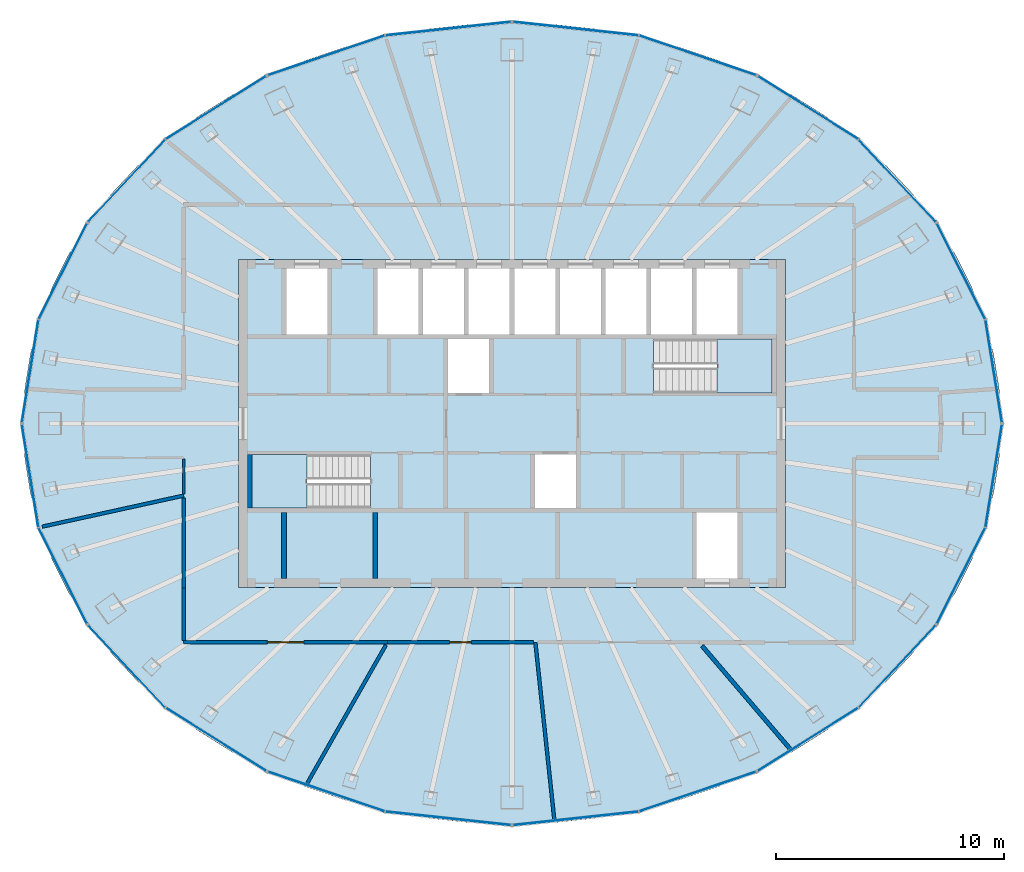
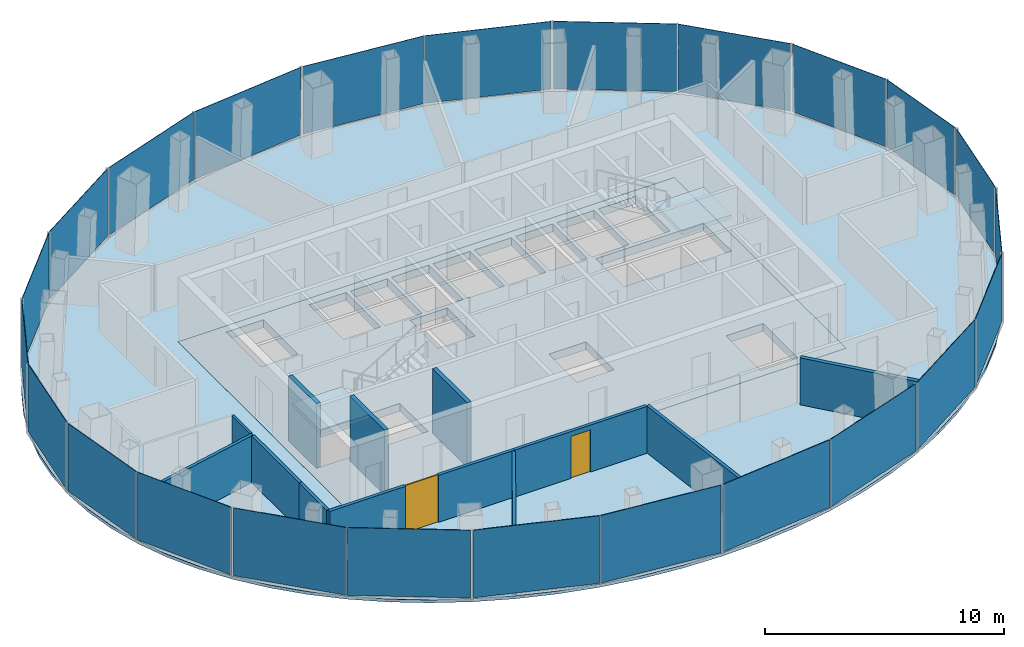
# One storey, part 8 of 12: 24 plates, 12 walls, 4 slabs, 2 doors, 2 openings, 14 elements without a shape of their own.
"""IFC4 building model written with IfcOpenShell, lengths in metres."""

from ifc_helpers import new_model, si_unit, direction, frame, frame_2d, origin, origin_2d, place, context, subcontext, project, spatial, polyline, rectangle, outline, extrude, material, layer, layer_set, type_object, element, fill, aggregate, save


model = new_model("IFC4")

# Units and contexts
model_context = context("Model", 3, precision=1e-05, world=origin(), true_north=direction((0.0, 1.0)))
body_context = subcontext(model_context, "Body", "Model", "MODEL_VIEW")
ifc_project = project(units=[si_unit("LENGTHUNIT", "METRE"), si_unit("AREAUNIT", "SQUARE_METRE"), si_unit("VOLUMEUNIT", "CUBIC_METRE"), si_unit("PLANEANGLEUNIT", "RADIAN"), si_unit("MASSUNIT", "GRAM", prefix="KILO")], contexts=[model_context])

# Site, building, storey
site_placement = place(None, origin())
site = spatial("IfcSite", under=ifc_project, at=site_placement, CompositionType="ELEMENT")
building_placement = place(site_placement, origin())
building = spatial("IfcBuilding", under=site, at=building_placement, Name="Siaravel Broadcast Tower", CompositionType="ELEMENT")
storey_placement = place(building_placement, frame((0.0, 0.0, 235.60009765625)))
storey = spatial("IfcBuildingStorey", under=building, at=storey_placement, Name="L57", CompositionType="ELEMENT", Elevation=235.60009765625)

# Curtain wall, plates
ifc_material_1 = material(Name="Aluminium 6063-T6", Category="aluminium")
ifc_layer_1 = layer(ifc_material_1, 0.159912109375)
ifc_layer_set_1 = layer_set([ifc_layer_1], Name="Aluminium 6063-T6")
curtain_wall_type = type_object("IfcCurtainWallType", Name="Unitised curtain wall, zone 4", PredefinedType="NOTDEFINED", material=ifc_layer_set_1)
curtain_wall_1_placement = place(storey_placement, origin())
curtain_wall_1 = element("IfcCurtainWall", 1, at=curtain_wall_1_placement, inside=storey, type_object=curtain_wall_type, Name="L57 Unitised curtain wall, zone 4 01", PredefinedType="NOTDEFINED")
ifc_material_2 = material(Name="Tinted insulated glass", Category="glass")
ifc_layer_2 = layer(ifc_material_2, 0.02587890625)
ifc_layer_set_2 = layer_set([ifc_layer_2], Name="Tinted insulated glass")
plate_type = type_object("IfcPlateType", Name="CW-Z4 glass panel", PredefinedType="CURTAIN_PANEL", material=ifc_layer_set_2)
plate_1_placement = place(storey_placement, frame((21.133056640625, 2.29541015625, 0.08984375), z_axis=(0.0, 0.0, 1.0), x_axis=(-0.158684841, 0.987329287, 0.0)))
plate_1 = element("IfcPlate", 2, at=plate_1_placement, type_object=plate_type, Name="CW-Z4 glass panel", PredefinedType="CURTAIN_PANEL", context=body_context, shape_type="SweptSolid", body=[
    extrude(rectangle(XDim=4.53955078125, YDim=0.02587890625, at=origin_2d()), origin(), (0.0, 0.0, 1.0), 3.4599609375),
])
plate_2_placement = place(storey_placement, frame((19.699951171875, 6.6767578125, 0.08984375), z_axis=(0.0, 0.0, 1.0), x_axis=(-0.451259489, 0.89239278, 0.0)))
plate_2 = element("IfcPlate", 3, at=plate_2_placement, type_object=plate_type, Name="CW-Z4 glass panel", PredefinedType="CURTAIN_PANEL", context=body_context, shape_type="SweptSolid", body=[
    extrude(rectangle(XDim=4.681396484375, YDim=0.02587890625, at=origin_2d()), origin(), (0.0, 0.0, 1.0), 3.4599609375),
])
aggregate(curtain_wall_1, [plate_1, plate_2])

curtain_wall_2_placement = place(storey_placement, origin())
curtain_wall_2 = element("IfcCurtainWall", 4, at=curtain_wall_2_placement, inside=storey, type_object=curtain_wall_type, Name="L57 Unitised curtain wall, zone 4 02", PredefinedType="NOTDEFINED")
plate_3_placement = place(storey_placement, frame((16.900390625, 10.649169921875, 0.08984375), z_axis=(0.0, 0.0, 1.0), x_axis=(-0.683653927, 0.72980635, 0.0)))
plate_3 = element("IfcPlate", 5, at=plate_3_placement, type_object=plate_type, Name="CW-Z4 glass panel", PredefinedType="CURTAIN_PANEL", context=body_context, shape_type="SweptSolid", body=[
    extrude(rectangle(XDim=4.91748046875, YDim=0.02587890625, at=origin_2d()), origin(), (0.0, 0.0, 1.0), 3.4599609375),
])
plate_4_placement = place(storey_placement, frame((12.985595703125, 13.855712890625, 0.08984375), z_axis=(0.0, 0.0, 1.0), x_axis=(-0.846649907, 0.532150293, 0.0)))
plate_4 = element("IfcPlate", 6, at=plate_4_placement, type_object=plate_type, Name="CW-Z4 glass panel", PredefinedType="CURTAIN_PANEL", context=body_context, shape_type="SweptSolid", body=[
    extrude(rectangle(XDim=5.17724609375, YDim=0.02587890625, at=origin_2d()), origin(), (0.0, 0.0, 1.0), 3.4599609375),
])
aggregate(curtain_wall_2, [plate_3, plate_4])

curtain_wall_3_placement = place(storey_placement, origin())
curtain_wall_3 = element("IfcCurtainWall", 7, at=curtain_wall_3_placement, inside=storey, type_object=curtain_wall_type, Name="L57 Unitised curtain wall, zone 4 03", PredefinedType="NOTDEFINED")
plate_5_placement = place(storey_placement, frame((8.14208984375, 16.146484375, 0.08984375), z_axis=(0.0, 0.0, 1.0), x_axis=(-0.946977002, 0.321301352, 0.0)))
plate_5 = element("IfcPlate", 8, at=plate_5_placement, type_object=plate_type, Name="CW-Z4 glass panel", PredefinedType="CURTAIN_PANEL", context=body_context, shape_type="SweptSolid", body=[
    extrude(rectangle(XDim=5.392333984375, YDim=0.02587890625, at=origin_2d()), origin(), (0.0, 0.0, 1.0), 3.4599609375),
])
plate_6_placement = place(storey_placement, frame((2.795166015625, 17.3203125, 0.08984375), z_axis=(0.0, 0.0, 1.0), x_axis=(-0.994235563, 0.107217743, 0.0)))
plate_6 = element("IfcPlate", 9, at=plate_6_placement, type_object=plate_type, Name="CW-Z4 glass panel", PredefinedType="CURTAIN_PANEL", context=body_context, shape_type="SweptSolid", body=[
    extrude(rectangle(XDim=5.5126953125, YDim=0.02587890625, at=origin_2d()), origin(), (0.0, 0.0, 1.0), 3.4599609375),
])
aggregate(curtain_wall_3, [plate_5, plate_6])

curtain_wall_4_placement = place(storey_placement, origin())
curtain_wall_4 = element("IfcCurtainWall", 10, at=curtain_wall_4_placement, inside=storey, type_object=curtain_wall_type, Name="L57 Unitised curtain wall, zone 4 04", PredefinedType="NOTDEFINED")
plate_7_placement = place(storey_placement, frame((-2.795166015625, 17.3203125, 0.08984375), z_axis=(0.0, 0.0, 1.0), x_axis=(-0.994235563, -0.107217743, 0.0)))
plate_7 = element("IfcPlate", 11, at=plate_7_placement, type_object=plate_type, Name="CW-Z4 glass panel", PredefinedType="CURTAIN_PANEL", context=body_context, shape_type="SweptSolid", body=[
    extrude(rectangle(XDim=5.5126953125, YDim=0.02587890625, at=origin_2d()), origin(), (0.0, 0.0, 1.0), 3.4599609375),
])
plate_8_placement = place(storey_placement, frame((-8.14208984375, 16.146484375, 0.08984375), z_axis=(0.0, 0.0, 1.0), x_axis=(-0.946977002, -0.321301352, 0.0)))
plate_8 = element("IfcPlate", 12, at=plate_8_placement, type_object=plate_type, Name="CW-Z4 glass panel", PredefinedType="CURTAIN_PANEL", context=body_context, shape_type="SweptSolid", body=[
    extrude(rectangle(XDim=5.392333984375, YDim=0.02587890625, at=origin_2d()), origin(), (0.0, 0.0, 1.0), 3.4599609375),
])
aggregate(curtain_wall_4, [plate_7, plate_8])

curtain_wall_5_placement = place(storey_placement, origin())
curtain_wall_5 = element("IfcCurtainWall", 13, at=curtain_wall_5_placement, inside=storey, type_object=curtain_wall_type, Name="L57 Unitised curtain wall, zone 4 05", PredefinedType="NOTDEFINED")
plate_9_placement = place(storey_placement, frame((-12.985595703125, 13.855712890625, 0.08984375), z_axis=(0.0, 0.0, 1.0), x_axis=(-0.846649907, -0.532150293, 0.0)))
plate_9 = element("IfcPlate", 14, at=plate_9_placement, type_object=plate_type, Name="CW-Z4 glass panel", PredefinedType="CURTAIN_PANEL", context=body_context, shape_type="SweptSolid", body=[
    extrude(rectangle(XDim=5.17724609375, YDim=0.02587890625, at=origin_2d()), origin(), (0.0, 0.0, 1.0), 3.4599609375),
])
plate_10_placement = place(storey_placement, frame((-16.900390625, 10.649169921875, 0.08984375), z_axis=(0.0, 0.0, 1.0), x_axis=(-0.683653927, -0.72980635, 0.0)))
plate_10 = element("IfcPlate", 15, at=plate_10_placement, type_object=plate_type, Name="CW-Z4 glass panel", PredefinedType="CURTAIN_PANEL", context=body_context, shape_type="SweptSolid", body=[
    extrude(rectangle(XDim=4.91748046875, YDim=0.02587890625, at=origin_2d()), origin(), (0.0, 0.0, 1.0), 3.4599609375),
])
aggregate(curtain_wall_5, [plate_9, plate_10])

curtain_wall_6_placement = place(storey_placement, origin())
curtain_wall_6 = element("IfcCurtainWall", 16, at=curtain_wall_6_placement, inside=storey, type_object=curtain_wall_type, Name="L57 Unitised curtain wall, zone 4 06", PredefinedType="NOTDEFINED")
plate_11_placement = place(storey_placement, frame((-19.699951171875, 6.6767578125, 0.08984375), z_axis=(0.0, 0.0, 1.0), x_axis=(-0.451259489, -0.89239278, 0.0)))
plate_11 = element("IfcPlate", 17, at=plate_11_placement, type_object=plate_type, Name="CW-Z4 glass panel", PredefinedType="CURTAIN_PANEL", context=body_context, shape_type="SweptSolid", body=[
    extrude(rectangle(XDim=4.681396484375, YDim=0.02587890625, at=origin_2d()), origin(), (0.0, 0.0, 1.0), 3.4599609375),
])
plate_12_placement = place(storey_placement, frame((-21.133056640625, 2.29541015625, 0.08984375), z_axis=(0.0, 0.0, 1.0), x_axis=(-0.158684841, -0.987329287, 0.0)))
plate_12 = element("IfcPlate", 18, at=plate_12_placement, type_object=plate_type, Name="CW-Z4 glass panel", PredefinedType="CURTAIN_PANEL", context=body_context, shape_type="SweptSolid", body=[
    extrude(rectangle(XDim=4.53955078125, YDim=0.02587890625, at=origin_2d()), origin(), (0.0, 0.0, 1.0), 3.4599609375),
])
aggregate(curtain_wall_6, [plate_11, plate_12])

curtain_wall_7_placement = place(storey_placement, origin())
curtain_wall_7 = element("IfcCurtainWall", 19, at=curtain_wall_7_placement, inside=storey, type_object=curtain_wall_type, Name="L57 Unitised curtain wall, zone 4 07", PredefinedType="NOTDEFINED")
plate_13_placement = place(storey_placement, frame((-21.133056640625, -2.29541015625, 0.08984375), z_axis=(0.0, 0.0, 1.0), x_axis=(0.158684841, -0.987329287, 0.0)))
plate_13 = element("IfcPlate", 20, at=plate_13_placement, type_object=plate_type, Name="CW-Z4 glass panel", PredefinedType="CURTAIN_PANEL", context=body_context, shape_type="SweptSolid", body=[
    extrude(rectangle(XDim=4.53955078125, YDim=0.02587890625, at=origin_2d()), origin(), (0.0, 0.0, 1.0), 3.4599609375),
])
plate_14_placement = place(storey_placement, frame((-19.699951171875, -6.6767578125, 0.08984375), z_axis=(0.0, 0.0, 1.0), x_axis=(0.451259489, -0.89239278, 0.0)))
plate_14 = element("IfcPlate", 21, at=plate_14_placement, type_object=plate_type, Name="CW-Z4 glass panel", PredefinedType="CURTAIN_PANEL", context=body_context, shape_type="SweptSolid", body=[
    extrude(rectangle(XDim=4.681396484375, YDim=0.02587890625, at=origin_2d()), origin(), (0.0, 0.0, 1.0), 3.4599609375),
])
aggregate(curtain_wall_7, [plate_13, plate_14])

curtain_wall_8_placement = place(storey_placement, origin())
curtain_wall_8 = element("IfcCurtainWall", 22, at=curtain_wall_8_placement, inside=storey, type_object=curtain_wall_type, Name="L57 Unitised curtain wall, zone 4 08", PredefinedType="NOTDEFINED")
plate_15_placement = place(storey_placement, frame((-16.900390625, -10.649169921875, 0.08984375), z_axis=(0.0, 0.0, 1.0), x_axis=(0.683653927, -0.72980635, 0.0)))
plate_15 = element("IfcPlate", 23, at=plate_15_placement, type_object=plate_type, Name="CW-Z4 glass panel", PredefinedType="CURTAIN_PANEL", context=body_context, shape_type="SweptSolid", body=[
    extrude(rectangle(XDim=4.91748046875, YDim=0.02587890625, at=origin_2d()), origin(), (0.0, 0.0, 1.0), 3.4599609375),
])
plate_16_placement = place(storey_placement, frame((-12.985595703125, -13.855712890625, 0.08984375), z_axis=(0.0, 0.0, 1.0), x_axis=(0.846649907, -0.532150293, 0.0)))
plate_16 = element("IfcPlate", 24, at=plate_16_placement, type_object=plate_type, Name="CW-Z4 glass panel", PredefinedType="CURTAIN_PANEL", context=body_context, shape_type="SweptSolid", body=[
    extrude(rectangle(XDim=5.17724609375, YDim=0.02587890625, at=origin_2d()), origin(), (0.0, 0.0, 1.0), 3.4599609375),
])
aggregate(curtain_wall_8, [plate_15, plate_16])

curtain_wall_9_placement = place(storey_placement, origin())
curtain_wall_9 = element("IfcCurtainWall", 25, at=curtain_wall_9_placement, inside=storey, type_object=curtain_wall_type, Name="L57 Unitised curtain wall, zone 4 09", PredefinedType="NOTDEFINED")
plate_17_placement = place(storey_placement, frame((-8.14208984375, -16.146484375, 0.08984375), z_axis=(0.0, 0.0, 1.0), x_axis=(0.946977002, -0.321301352, 0.0)))
plate_17 = element("IfcPlate", 26, at=plate_17_placement, type_object=plate_type, Name="CW-Z4 glass panel", PredefinedType="CURTAIN_PANEL", context=body_context, shape_type="SweptSolid", body=[
    extrude(rectangle(XDim=5.392333984375, YDim=0.02587890625, at=origin_2d()), origin(), (0.0, 0.0, 1.0), 3.4599609375),
])
plate_18_placement = place(storey_placement, frame((-2.795166015625, -17.3203125, 0.08984375), z_axis=(0.0, 0.0, 1.0), x_axis=(0.994235563, -0.107217743, 0.0)))
plate_18 = element("IfcPlate", 27, at=plate_18_placement, type_object=plate_type, Name="CW-Z4 glass panel", PredefinedType="CURTAIN_PANEL", context=body_context, shape_type="SweptSolid", body=[
    extrude(rectangle(XDim=5.5126953125, YDim=0.02587890625, at=origin_2d()), origin(), (0.0, 0.0, 1.0), 3.4599609375),
])
aggregate(curtain_wall_9, [plate_17, plate_18])

curtain_wall_10_placement = place(storey_placement, origin())
curtain_wall_10 = element("IfcCurtainWall", 28, at=curtain_wall_10_placement, inside=storey, type_object=curtain_wall_type, Name="L57 Unitised curtain wall, zone 4 10", PredefinedType="NOTDEFINED")
plate_19_placement = place(storey_placement, frame((2.795166015625, -17.3203125, 0.08984375), z_axis=(0.0, 0.0, 1.0), x_axis=(0.994235563, 0.107217743, 0.0)))
plate_19 = element("IfcPlate", 29, at=plate_19_placement, type_object=plate_type, Name="CW-Z4 glass panel", PredefinedType="CURTAIN_PANEL", context=body_context, shape_type="SweptSolid", body=[
    extrude(rectangle(XDim=5.5126953125, YDim=0.02587890625, at=origin_2d()), origin(), (0.0, 0.0, 1.0), 3.4599609375),
])
plate_20_placement = place(storey_placement, frame((8.14208984375, -16.146484375, 0.08984375), z_axis=(0.0, 0.0, 1.0), x_axis=(0.946977002, 0.321301352, 0.0)))
plate_20 = element("IfcPlate", 30, at=plate_20_placement, type_object=plate_type, Name="CW-Z4 glass panel", PredefinedType="CURTAIN_PANEL", context=body_context, shape_type="SweptSolid", body=[
    extrude(rectangle(XDim=5.392333984375, YDim=0.02587890625, at=origin_2d()), origin(), (0.0, 0.0, 1.0), 3.4599609375),
])
aggregate(curtain_wall_10, [plate_19, plate_20])

curtain_wall_11_placement = place(storey_placement, origin())
curtain_wall_11 = element("IfcCurtainWall", 31, at=curtain_wall_11_placement, inside=storey, type_object=curtain_wall_type, Name="L57 Unitised curtain wall, zone 4 11", PredefinedType="NOTDEFINED")
plate_21_placement = place(storey_placement, frame((12.985595703125, -13.855712890625, 0.08984375), z_axis=(0.0, 0.0, 1.0), x_axis=(0.846649907, 0.532150293, 0.0)))
plate_21 = element("IfcPlate", 32, at=plate_21_placement, type_object=plate_type, Name="CW-Z4 glass panel", PredefinedType="CURTAIN_PANEL", context=body_context, shape_type="SweptSolid", body=[
    extrude(rectangle(XDim=5.17724609375, YDim=0.02587890625, at=origin_2d()), origin(), (0.0, 0.0, 1.0), 3.4599609375),
])
plate_22_placement = place(storey_placement, frame((16.900390625, -10.649169921875, 0.08984375), z_axis=(0.0, 0.0, 1.0), x_axis=(0.683653927, 0.72980635, 0.0)))
plate_22 = element("IfcPlate", 33, at=plate_22_placement, type_object=plate_type, Name="CW-Z4 glass panel", PredefinedType="CURTAIN_PANEL", context=body_context, shape_type="SweptSolid", body=[
    extrude(rectangle(XDim=4.91748046875, YDim=0.02587890625, at=origin_2d()), origin(), (0.0, 0.0, 1.0), 3.4599609375),
])
aggregate(curtain_wall_11, [plate_21, plate_22])

curtain_wall_12_placement = place(storey_placement, origin())
curtain_wall_12 = element("IfcCurtainWall", 34, at=curtain_wall_12_placement, inside=storey, type_object=curtain_wall_type, Name="L57 Unitised curtain wall, zone 4 12", PredefinedType="NOTDEFINED")
plate_23_placement = place(storey_placement, frame((19.699951171875, -6.6767578125, 0.08984375), z_axis=(0.0, 0.0, 1.0), x_axis=(0.451259489, 0.89239278, 0.0)))
plate_23 = element("IfcPlate", 35, at=plate_23_placement, type_object=plate_type, Name="CW-Z4 glass panel", PredefinedType="CURTAIN_PANEL", context=body_context, shape_type="SweptSolid", body=[
    extrude(rectangle(XDim=4.681396484375, YDim=0.02587890625, at=origin_2d()), origin(), (0.0, 0.0, 1.0), 3.4599609375),
])
plate_24_placement = place(storey_placement, frame((21.133056640625, -2.29541015625, 0.08984375), z_axis=(0.0, 0.0, 1.0), x_axis=(0.158684841, 0.987329287, 0.0)))
plate_24 = element("IfcPlate", 36, at=plate_24_placement, type_object=plate_type, Name="CW-Z4 glass panel", PredefinedType="CURTAIN_PANEL", context=body_context, shape_type="SweptSolid", body=[
    extrude(rectangle(XDim=4.53955078125, YDim=0.02587890625, at=origin_2d()), origin(), (0.0, 0.0, 1.0), 3.4599609375),
])
aggregate(curtain_wall_12, [plate_23, plate_24])

# Slabs
ifc_material_3 = material(Name="Concrete C40/50", Category="concrete")
ifc_layer_3 = layer(ifc_material_3, 0.39990234375)
ifc_layer_set_3 = layer_set([ifc_layer_3], Name="Concrete C40/50")
slab_type_1 = type_object("IfcSlabType", Name="Core floor slab 400", PredefinedType="FLOOR", material=ifc_layer_set_3)
slab_1_placement = place(storey_placement, frame((0.0, 0.0, -0.400146484375)))
element("IfcSlab", 37, at=slab_1_placement, inside=storey, type_object=slab_type_1, Name="L57 core floor", PredefinedType="FLOOR", context=body_context, shape_type="SweptSolid", body=[
    extrude(outline(polyline([(-12.0, -7.199951171875), (-12.0, 7.199951171875), (12.0, 7.199951171875), (12.0, -7.199951171875), (-12.0, -7.199951171875)]), holes=[polyline([(11.3994140625, 1.3505859375), (11.3994140625, 3.699462890625), (6.200439453125, 3.699462890625), (6.200439453125, 1.3505859375), (11.3994140625, 1.3505859375)]), polyline([(8.10009765625, -3.89990234375), (8.10009765625, -6.800048828125), (9.89990234375, -6.800048828125), (9.89990234375, -3.89990234375), (8.10009765625, -3.89990234375)]), polyline([(9.89990234375, 6.800048828125), (8.10009765625, 6.800048828125), (8.10009765625, 3.89990234375), (9.89990234375, 3.89990234375), (9.89990234375, 6.800048828125)]), polyline([(7.89990234375, 6.800048828125), (6.10009765625, 6.800048828125), (6.10009765625, 3.89990234375), (7.89990234375, 3.89990234375), (7.89990234375, 6.800048828125)]), polyline([(5.89990234375, 6.800048828125), (4.10009765625, 6.800048828125), (4.10009765625, 3.89990234375), (5.89990234375, 3.89990234375), (5.89990234375, 6.800048828125)]), polyline([(3.89990234375, 6.800048828125), (2.10009765625, 6.800048828125), (2.10009765625, 3.89990234375), (3.89990234375, 3.89990234375), (3.89990234375, 6.800048828125)]), polyline([(2.800048828125, -1.35009765625), (1.0, -1.35009765625), (1.0, -3.699951171875), (2.800048828125, -3.699951171875), (2.800048828125, -1.35009765625)]), polyline([(1.89990234375, 6.800048828125), (0.10009765625, 6.800048828125), (0.10009765625, 3.89990234375), (1.89990234375, 3.89990234375), (1.89990234375, 6.800048828125)]), polyline([(-0.10009765625, 6.800048828125), (-1.89990234375, 6.800048828125), (-1.89990234375, 3.89990234375), (-0.10009765625, 3.89990234375), (-0.10009765625, 6.800048828125)]), polyline([(-1.0, 3.699951171875), (-2.800048828125, 3.699951171875), (-2.800048828125, 1.35009765625), (-1.0, 1.35009765625), (-1.0, 3.699951171875)]), polyline([(-2.10009765625, 6.800048828125), (-3.89990234375, 6.800048828125), (-3.89990234375, 3.89990234375), (-2.10009765625, 3.89990234375), (-2.10009765625, 6.800048828125)]), polyline([(-4.10009765625, 6.800048828125), (-5.89990234375, 6.800048828125), (-5.89990234375, 3.89990234375), (-4.10009765625, 3.89990234375), (-4.10009765625, 6.800048828125)]), polyline([(-11.3994140625, -3.699462890625), (-6.200439453125, -3.699462890625), (-6.200439453125, -1.3505859375), (-11.3994140625, -1.3505859375), (-11.3994140625, -3.699462890625)]), polyline([(-8.10009765625, 6.800048828125), (-9.89990234375, 6.800048828125), (-9.89990234375, 3.89990234375), (-8.10009765625, 3.89990234375), (-8.10009765625, 6.800048828125)])]), origin(), (0.0, 0.0, 1.0), 0.400146484375),
])
ifc_layer_4 = layer(ifc_material_3, 0.14990234375)
ifc_layer_set_4 = layer_set([ifc_layer_4], Name="Concrete C40/50")
slab_type_2 = type_object("IfcSlabType", Name="SLB-FLOOR-150", PredefinedType="FLOOR", material=ifc_layer_set_4)
slab_2_placement = place(storey_placement, frame((0.0, 0.0, -0.150146484375)))
element("IfcSlab", 38, at=slab_2_placement, inside=storey, type_object=slab_type_2, Name="Floor slab", PredefinedType="FLOOR", context=body_context, shape_type="SweptSolid", body=[
    extrude(outline(polyline([(21.451904296875, 0.0), (21.370361328125, 1.531494140625), (21.126220703125, 3.05126953125), (20.720947265625, 4.5478515625), (20.158203125, 6.009765625), (19.442138671875, 7.426025390625), (18.577880859375, 8.785888671875), (17.572509765625, 10.07861328125), (16.43310546875, 11.294921875), (15.1689453125, 12.425048828125), (13.7890625, 13.460693359375), (12.304443359375, 14.393798828125), (10.72607421875, 15.217529296875), (9.06591796875, 15.92529296875), (7.3369140625, 16.511962890625), (5.55224609375, 16.972900390625), (3.72509765625, 17.3046875), (1.86962890625, 17.504638671875), (0.0, 17.571533203125), (-1.86962890625, 17.504638671875), (-3.72509765625, 17.3046875), (-5.55224609375, 16.972900390625), (-7.3369140625, 16.511962890625), (-9.06591796875, 15.92529296875), (-10.72607421875, 15.217529296875), (-12.304443359375, 14.393798828125), (-13.7890625, 13.460693359375), (-15.1689453125, 12.425048828125), (-16.43310546875, 11.294921875), (-17.572509765625, 10.07861328125), (-18.577880859375, 8.785888671875), (-19.442138671875, 7.426025390625), (-20.158203125, 6.009765625), (-20.720947265625, 4.5478515625), (-21.126220703125, 3.05126953125), (-21.370361328125, 1.531494140625), (-21.451904296875, 0.0), (-21.370361328125, -1.531494140625), (-21.126220703125, -3.05126953125), (-20.720947265625, -4.5478515625), (-20.158203125, -6.009765625), (-19.442138671875, -7.426025390625), (-18.577880859375, -8.785888671875), (-17.572509765625, -10.07861328125), (-16.43310546875, -11.294921875), (-15.1689453125, -12.425048828125), (-13.7890625, -13.460693359375), (-12.304443359375, -14.393798828125), (-10.72607421875, -15.217529296875), (-9.06591796875, -15.92529296875), (-7.3369140625, -16.511962890625), (-5.55224609375, -16.972900390625), (-3.72509765625, -17.3046875), (-1.86962890625, -17.504638671875), (0.0, -17.571533203125), (1.86962890625, -17.504638671875), (3.72509765625, -17.3046875), (5.55224609375, -16.972900390625), (7.3369140625, -16.511962890625), (9.06591796875, -15.92529296875), (10.72607421875, -15.217529296875), (12.304443359375, -14.393798828125), (13.7890625, -13.460693359375), (15.1689453125, -12.425048828125), (16.43310546875, -11.294921875), (17.572509765625, -10.07861328125), (18.577880859375, -8.785888671875), (19.442138671875, -7.426025390625), (20.158203125, -6.009765625), (20.720947265625, -4.5478515625), (21.126220703125, -3.05126953125), (21.370361328125, -1.531494140625), (21.451904296875, 0.0)]), holes=[polyline([(-12.0, 7.199951171875), (12.0, 7.199951171875), (12.0, -7.199951171875), (-12.0, -7.199951171875), (-12.0, 7.199951171875)])]), origin(), (0.0, 0.0, 1.0), 0.150146484375),
])

# Stair, slab
stair_type = type_object("IfcStairType", Name="Core exit stair", PredefinedType="HALF_TURN_STAIR", material=ifc_material_3)
stair_1_placement = place(storey_placement, origin())
stair_1 = element("IfcStair", 39, at=stair_1_placement, inside=storey, type_object=stair_type, Name="L57 Exit stair ST-1", PredefinedType="HALF_TURN_STAIR")
ifc_layer_5 = layer(ifc_material_3, 0.199951171875)
ifc_layer_set_5 = layer_set([ifc_layer_5], Name="Concrete C40/50")
slab_type_3 = type_object("IfcSlabType", Name="Stair landing", PredefinedType="LANDING", material=ifc_layer_set_5)
slab_3_placement = place(storey_placement, frame((0.0, 0.0, 1.64990234375)))
slab_3 = element("IfcSlab", 40, at=slab_3_placement, type_object=slab_type_3, Name="ST-1 landing 1", PredefinedType="LANDING", context=body_context, shape_type="SweptSolid", body=[
    extrude(outline(polyline([(-9.0, -1.35009765625), (-11.39990234375, -1.35009765625), (-11.39990234375, -3.699951171875), (-9.0, -3.699951171875), (-9.0, -1.35009765625)])), origin(), (0.0, 0.0, 1.0), 0.199951171875),
])
aggregate(stair_1, [slab_3])

stair_2_placement = place(storey_placement, origin())
stair_2 = element("IfcStair", 41, at=stair_2_placement, inside=storey, type_object=stair_type, Name="L57 Exit stair ST-2", PredefinedType="HALF_TURN_STAIR")
slab_4_placement = place(storey_placement, frame((0.0, 0.0, 1.64990234375)))
slab_4 = element("IfcSlab", 42, at=slab_4_placement, type_object=slab_type_3, Name="ST-2 landing 1", PredefinedType="LANDING", context=body_context, shape_type="SweptSolid", body=[
    extrude(outline(polyline([(9.0, 1.35009765625), (11.39990234375, 1.35009765625), (11.39990234375, 3.699951171875), (9.0, 3.699951171875), (9.0, 1.35009765625)])), origin(), (0.0, 0.0, 1.0), 0.199951171875),
])
aggregate(stair_2, [slab_4])

# Wall
ifc_material_4 = material(Name="Concrete blockwork", Category="masonry")
ifc_layer_6 = layer(ifc_material_4, 0.199951171875)
ifc_layer_set_6 = layer_set([ifc_layer_6], Name="Concrete blockwork")
wall_type_1 = type_object("IfcWallType", Name="Core partition 200", PredefinedType="PARTITIONING", material=ifc_layer_set_6)
wall_1_placement = place(storey_placement, frame((-6.0, -6.800048828125, 0.0), z_axis=(0.0, 0.0, 1.0), x_axis=(0.0, 1.0, 0.0)))
element("IfcWall", 43, at=wall_1_placement, inside=storey, type_object=wall_type_1, Name="L57 core partition PFS0", PredefinedType="PARTITIONING", context=body_context, shape_type="SweptSolid", body=[
    extrude(rectangle(XDim=2.900146484375, YDim=0.199951171875, at=frame_2d((1.4501953125, 0.0))), origin(), (0.0, 0.0, 1.0), 3.2998046875),
])

# Wall, opening, door
ifc_material_5 = material(Name="Gypsum board partition", Category="gypsum")
ifc_layer_7 = layer(ifc_material_5, 0.14990234375)
ifc_layer_set_7 = layer_set([ifc_layer_7], Name="Gypsum board partition")
wall_type_2 = type_object("IfcWallType", Name="Corridor wall 150", PredefinedType="PARTITIONING", material=ifc_layer_set_7)
wall_2_placement = place(storey_placement, frame((-14.39990234375, -9.60009765625, 0.0), z_axis=(0.0, 0.0, 1.0), x_axis=(1.0, 0.0, 0.0)))
wall_2 = element("IfcWall", 44, at=wall_2_placement, inside=storey, type_object=wall_type_2, Name="L57 partition 1", PredefinedType="PARTITIONING", context=body_context, shape_type="SweptSolid", body=[
    extrude(rectangle(XDim=8.934814453125, YDim=0.14990234375, at=frame_2d((4.46728515625, 0.0))), origin(), (0.0, 0.0, 1.0), 2.39990234375),
])
opening_1_placement = place(wall_2_placement, frame((3.66748046875, 0.0, 0.0)))
opening_1 = element("IfcOpeningElement", 45, at=opening_1_placement, cuts=wall_2, Name="Opening L57-001", PredefinedType="OPENING", context=body_context, shape_type="SweptSolid", body=[
    extrude(rectangle(XDim=1.60009765625, YDim=2.39990234375, at=frame_2d((0.800048828125, 1.199951171875))), frame((0.0, 0.0849609375, 0.0), z_axis=(0.0, -1.0, 0.0), x_axis=(1.0, 0.0, 0.0)), (0.0, 0.0, 1.0), 0.169921875),
])
ifc_material_6 = material(Name="Timber veneer", Category="wood")
door_type_1 = type_object("IfcDoorType", Name="Restaurant double door 1600", OperationType="DOUBLE_DOOR_SINGLE_SWING", PredefinedType="DOOR", material=ifc_material_6)
door_1_placement = place(opening_1_placement, origin())
door_1 = element("IfcDoor", 46, at=door_1_placement, inside=storey, type_object=door_type_1, Name="L57 door to Restaurant", OperationType="DOUBLE_DOOR_SINGLE_SWING", OverallHeight=2.39990234375, OverallWidth=1.60009765625, PredefinedType="DOOR", context=body_context, shape_type="SweptSolid", body=[
    extrude(rectangle(XDim=1.60009765625, YDim=2.39990234375, at=frame_2d((0.800048828125, 1.199951171875))), frame((0.0, 0.02490234375, 0.0), z_axis=(0.0, -1.0, 0.0), x_axis=(1.0, 0.0, 0.0)), (0.0, 0.0, 1.0), 0.050048828125),
])
fill(opening_1, door_1)

wall_3_placement = place(storey_placement, frame((-5.464111328125, -9.60009765625, 0.0), z_axis=(0.0, 0.0, 1.0), x_axis=(1.0, 0.0, 0.0)))
wall_3 = element("IfcWall", 47, at=wall_3_placement, inside=storey, type_object=wall_type_2, Name="L57 partition 10", PredefinedType="PARTITIONING", context=body_context, shape_type="SweptSolid", body=[
    extrude(rectangle(XDim=6.412841796875, YDim=0.14990234375, at=frame_2d((3.20654296875, 0.0))), origin(), (0.0, 0.0, 1.0), 2.39990234375),
])
opening_2_placement = place(wall_3_placement, frame((2.7314453125, 0.0, 0.0)))
opening_2 = element("IfcOpeningElement", 48, at=opening_2_placement, cuts=wall_3, Name="Opening L57-002", PredefinedType="OPENING", context=body_context, shape_type="SweptSolid", body=[
    extrude(rectangle(XDim=0.949951171875, YDim=2.14990234375, at=frame_2d((0.47509765625, 1.074951171875))), frame((0.0, 0.0849609375, 0.0), z_axis=(0.0, -1.0, 0.0), x_axis=(1.0, 0.0, 0.0)), (0.0, 0.0, 1.0), 0.169921875),
])
door_type_2 = type_object("IfcDoorType", Name="Office door 950", OperationType="SINGLE_SWING_LEFT", PredefinedType="DOOR", material=ifc_material_6)
door_2_placement = place(opening_2_placement, origin())
door_2 = element("IfcDoor", 49, at=door_2_placement, inside=storey, type_object=door_type_2, Name="L57 door to Reception", OperationType="SINGLE_SWING_RIGHT", OverallHeight=2.14990234375, OverallWidth=0.949951171875, PredefinedType="DOOR", context=body_context, shape_type="SweptSolid", body=[
    extrude(rectangle(XDim=0.949951171875, YDim=2.14990234375, at=frame_2d((0.47509765625, 1.074951171875))), frame((0.0, 0.02490234375, 0.0), z_axis=(0.0, -1.0, 0.0), x_axis=(1.0, 0.0, 0.0)), (0.0, 0.0, 1.0), 0.050048828125),
])
fill(opening_2, door_2)

# Walls
wall_4_placement = place(storey_placement, frame((-14.39990234375, -3.255859375, 0.0), z_axis=(0.0, 0.0, 1.0), x_axis=(0.0, -1.0, 0.0)))
element("IfcWall", 50, at=wall_4_placement, inside=storey, type_object=wall_type_2, Name="L57 partition 22", PredefinedType="PARTITIONING", context=body_context, shape_type="SweptSolid", body=[
    extrude(rectangle(XDim=3.9560546875, YDim=0.14990234375, at=frame_2d((1.97802734375, 0.0))), origin(), (0.0, 0.0, 1.0), 2.39990234375),
])
wall_5_placement = place(storey_placement, frame((-14.39990234375, -7.212890625, 0.0), z_axis=(0.0, 0.0, 1.0), x_axis=(0.0, -1.0, 0.0)))
element("IfcWall", 51, at=wall_5_placement, inside=storey, type_object=wall_type_2, Name="L57 partition 29", PredefinedType="PARTITIONING", context=body_context, shape_type="SweptSolid", body=[
    extrude(rectangle(XDim=2.31005859375, YDim=0.14990234375, at=frame_2d((1.155029296875, 0.0))), origin(), (0.0, 0.0, 1.0), 2.39990234375),
])
ifc_material_7 = material(Name="Glazed aluminium partition", Category="aluminium")
ifc_layer_8 = layer(ifc_material_7, 0.10009765625)
ifc_layer_set_8 = layer_set([ifc_layer_8], Name="Glazed aluminium partition")
wall_type_3 = type_object("IfcWallType", Name="Glazed meeting room partition 100", PredefinedType="PARTITIONING", material=ifc_layer_set_8)
wall_6_placement = place(storey_placement, frame((-14.39990234375, -1.552001953125, 0.0), z_axis=(0.0, 0.0, 1.0), x_axis=(0.0, -1.0, 0.0)))
element("IfcWall", 52, at=wall_6_placement, inside=storey, type_object=wall_type_3, Name="L57 partition 32", PredefinedType="PARTITIONING", context=body_context, shape_type="SweptSolid", body=[
    extrude(rectangle(XDim=1.533203125, YDim=0.10009765625, at=frame_2d((0.7666015625, 0.0))), origin(), (0.0, 0.0, 1.0), 2.39990234375),
])
ifc_layer_9 = layer(ifc_material_5, 0.14990234375)
ifc_layer_set_9 = layer_set([ifc_layer_9], Name="Gypsum board partition")
wall_type_4 = type_object("IfcWallType", Name="Room partition 150", PredefinedType="PARTITIONING", material=ifc_layer_set_9)
wall_7_placement = place(storey_placement, frame((1.85693359375, -17.385498046875, 0.0), z_axis=(0.0, 0.0, 1.0), x_axis=(-0.106203924, 0.99434437, 0.0)))
element("IfcWall", 53, at=wall_7_placement, inside=storey, type_object=wall_type_4, Name="L57 partition 3", PredefinedType="PARTITIONING", context=body_context, shape_type="SweptSolid", body=[
    extrude(rectangle(XDim=7.82958984375, YDim=0.14990234375, at=frame_2d((3.914794921875, 0.0))), origin(), (0.0, 0.0, 1.0), 2.39990234375),
])
wall_8_placement = place(storey_placement, frame((-9.005615234375, -15.819091796875, 0.0), z_axis=(0.0, 0.0, 1.0), x_axis=(0.494757339, 0.869031171, 0.0)))
element("IfcWall", 54, at=wall_8_placement, inside=storey, type_object=wall_type_4, Name="L57 partition 7", PredefinedType="PARTITIONING", context=body_context, shape_type="SweptSolid", body=[
    extrude(rectangle(XDim=7.025390625, YDim=0.14990234375, at=frame_2d((3.5126953125, 0.0))), origin(), (0.0, 0.0, 1.0), 2.39990234375),
])
wall_9_placement = place(storey_placement, frame((-14.39990234375, -3.16064453125, 0.0), z_axis=(0.0, 0.0, 1.0), x_axis=(-0.976754355, -0.214361681, 0.0)))
element("IfcWall", 55, at=wall_9_placement, inside=storey, type_object=wall_type_4, Name="L57 partition 11", PredefinedType="PARTITIONING", context=body_context, shape_type="SweptSolid", body=[
    extrude(rectangle(XDim=6.351806640625, YDim=0.14990234375, at=frame_2d((3.17578125, 0.0))), origin(), (0.0, 0.0, 1.0), 2.39990234375),
])
ifc_layer_10 = layer(ifc_material_4, 0.179931640625)
ifc_layer_set_10 = layer_set([ifc_layer_10], Name="Concrete blockwork")
wall_type_5 = type_object("IfcWallType", Name="Service room fire partition 180", PredefinedType="PARTITIONING", material=ifc_layer_set_10)
wall_10_placement = place(storey_placement, frame((12.2255859375, -14.3017578125, 0.0), z_axis=(0.0, 0.0, 1.0), x_axis=(-0.649766711, 0.760133686, 0.0)))
element("IfcWall", 56, at=wall_10_placement, inside=storey, type_object=wall_type_5, Name="L57 partition 13", PredefinedType="PARTITIONING", context=body_context, shape_type="SweptSolid", body=[
    extrude(rectangle(XDim=5.988037109375, YDim=0.179931640625, at=frame_2d((2.994140625, 0.0))), origin(), (0.0, 0.0, 1.0), 2.39990234375),
])
ifc_material_8 = material(Name="Concrete C60/75", Category="concrete")
ifc_layer_11 = layer(ifc_material_8, 0.199951171875)
ifc_layer_set_11 = layer_set([ifc_layer_11], Name="Concrete C60/75")
wall_type_6 = type_object("IfcWallType", Name="Shaft wall 200", PredefinedType="SHEAR", material=ifc_layer_set_11)
wall_11_placement = place(storey_placement, frame((-10.0, -6.800048828125, 0.0), z_axis=(0.0, 0.0, 1.0), x_axis=(0.0, 1.0, 0.0)))
element("IfcWall", 57, at=wall_11_placement, inside=storey, type_object=wall_type_6, Name="L57 core wall SWS0", PredefinedType="SHEAR", context=body_context, shape_type="SweptSolid", body=[
    extrude(rectangle(XDim=2.900146484375, YDim=0.199951171875, at=frame_2d((1.4501953125, 0.0))), origin(), (0.0, 0.0, 1.0), 3.2998046875),
])
wall_12_placement = place(storey_placement, frame((-11.5, -3.699951171875, 0.0), z_axis=(0.0, 0.0, 1.0), x_axis=(0.0, 1.0, 0.0)))
element("IfcWall", 58, at=wall_12_placement, inside=storey, type_object=wall_type_6, Name="L57 core wall ST1W", PredefinedType="SHEAR", context=body_context, shape_type="SweptSolid", body=[
    extrude(rectangle(XDim=2.349853515625, YDim=0.199951171875, at=frame_2d((1.1748046875, 0.0))), origin(), (0.0, 0.0, 1.0), 3.2998046875),
])

save(model, "model.ifc")
